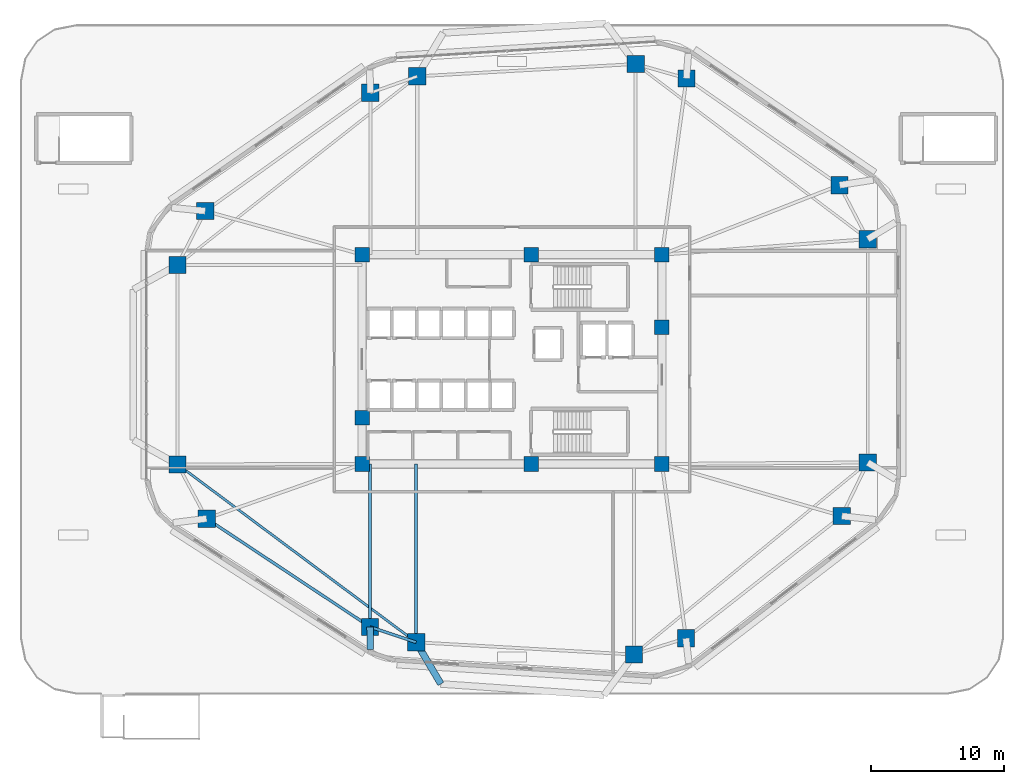
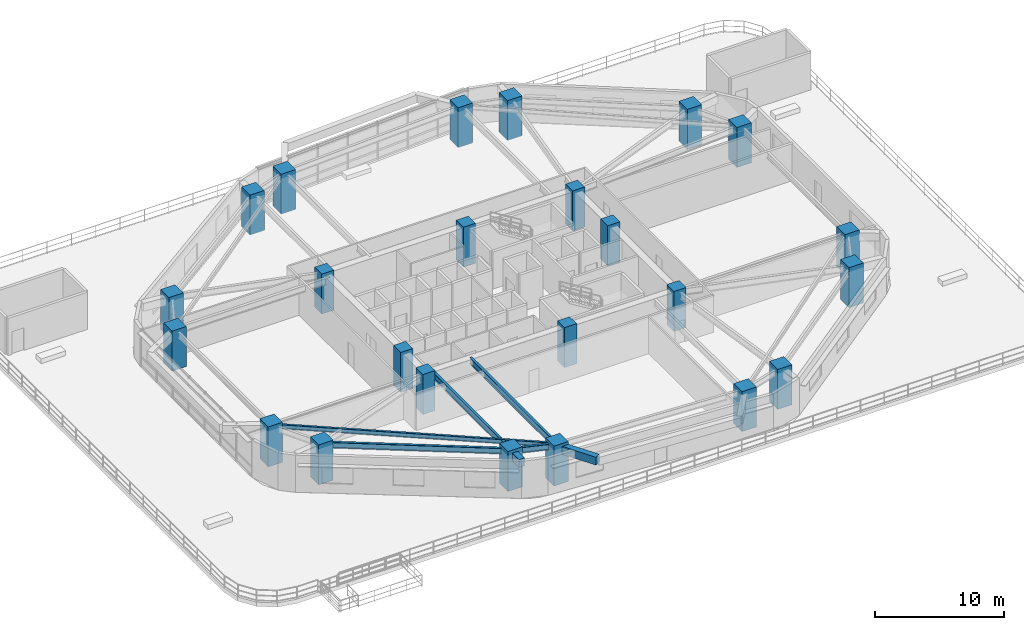
# One storey, part 1 of 20: 24 columns, 7 beams.
"""IFC4 building model written with IfcOpenShell, lengths in metres."""

from ifc_helpers import new_model, si_unit, direction, frame, origin, origin_2d, place, context, subcontext, project, spatial, rectangle, i_section, extrude, material, material_profile, profile_set, type_object, element, save


model = new_model("IFC4")

# Units and contexts
model_context = context("Model", 3, precision=1e-05, world=origin(), true_north=direction((0.0, 1.0)))
body_context = subcontext(model_context, "Body", "Model", "MODEL_VIEW")
ifc_project = project(units=[si_unit("LENGTHUNIT", "METRE"), si_unit("AREAUNIT", "SQUARE_METRE"), si_unit("VOLUMEUNIT", "CUBIC_METRE"), si_unit("PLANEANGLEUNIT", "RADIAN"), si_unit("MASSUNIT", "GRAM", prefix="KILO")], contexts=[model_context])

# Site, building, storey
site_placement = place(None, origin())
site = spatial("IfcSite", under=ifc_project, at=site_placement, CompositionType="ELEMENT")
building_placement = place(site_placement, origin())
building = spatial("IfcBuilding", under=site, at=building_placement, Name="Zulverin Broadcast Headquarters", CompositionType="ELEMENT")
storey_placement = place(building_placement, frame((0.0, 0.0, 25.0)))
storey = spatial("IfcBuildingStorey", under=building, at=storey_placement, Name="L05", CompositionType="ELEMENT", Elevation=25.0)

# Columns
ifc_material_1 = material(Name="Concrete C60/75", Category="concrete")
ifc_material_profile_1 = material_profile(ifc_material_1, rectangle(XDim=1.300048828125, YDim=1.300048828125, at=origin_2d()), Name="Concrete C60/75", Category="concrete")
ifc_profile_set_1 = profile_set([ifc_material_profile_1], Name="Concrete C60/75")
column_type_1 = type_object("IfcColumnType", Name="COL-RC-1300", PredefinedType="COLUMN", material=ifc_profile_set_1)
for number, where, z_axis, x_axis, name in (
    (1, (29.79638671875, 3.922119140625, 0.0), (0.0, 0.0, 1.0), (1.0, 0.0, 0.0), "L05 Perimeter Column T01"),
    (2, (46.175048828125, 2.997802734375, 0.0), (0.0, 0.0, 1.0), (1.0, 0.0, 0.0), "L05 Perimeter Column T02"),
    (3, (50.08056640625, 4.22509765625, 0.0), (0.0, 0.0, 1.0), (1.0, 0.0, 0.0), "L05 Perimeter Column T03"),
    (4, (61.79296875, 13.416259765625, 0.0), (0.0, 0.0, 1.0), (1.0, 0.0, 0.0), "L05 Perimeter Column T04"),
    (5, (63.75, 17.439697265625, 0.0), (0.0, 0.0, 1.0), (1.0, 0.0, 0.0), "L05 Perimeter Column T05"),
    (6, (63.75, 34.235107421875, 0.0), (0.0, 0.0, 1.0), (1.0, 0.0, 0.0), "L05 Perimeter Column T06"),
    (7, (61.630126953125, 38.298583984375, 0.0), (0.0, 0.0, 1.0), (1.0, 0.0, 0.0), "L05 Perimeter Column T07"),
    (8, (50.121826171875, 46.325927734375, 0.0), (0.0, 0.0, 1.0), (1.0, 0.0, 0.0), "L05 Perimeter Column T08"),
    (9, (46.30224609375, 47.4091796875, 0.0), (0.0, 0.0, 1.0), (1.0, 0.0, 0.0), "L05 Perimeter Column T09"),
    (10, (29.873779296875, 46.482177734375, 0.0), (0.0, 0.0, 1.0), (1.0, 0.0, 0.0), "L05 Perimeter Column T10"),
    (11, (26.344482421875, 45.23828125, 0.0), (0.0, 0.0, 1.0), (1.0, 0.0, 0.0), "L05 Perimeter Column T11"),
    (12, (13.934326171875, 36.353759765625, 0.0), (0.0, 0.0, 1.0), (1.0, 0.0, 0.0), "L05 Perimeter Column T12"),
    (13, (11.85009765625, 32.298095703125, 0.0), (0.0, 0.0, 1.0), (1.0, 0.0, 0.0), "L05 Perimeter Column T13"),
    (14, (11.85009765625, 17.297607421875, 0.0), (0.0, 0.0, 1.0), (1.0, 0.0, 0.0), "L05 Perimeter Column T14"),
    (15, (14.0390625, 13.219970703125, 0.0), (0.0, 0.0, 1.0), (1.0, 0.0, 0.0), "L05 Perimeter Column T15"),
    (16, (26.3251953125, 5.075927734375, 0.0), (0.0, 0.0, 1.0), (1.0, 0.0, 0.0), "L05 Perimeter Column T16"),
):
    element("IfcColumn", number, at=place(storey_placement, frame(where, z_axis=z_axis, x_axis=x_axis)), inside=storey, type_object=column_type_1, Name=name, PredefinedType="COLUMN", context=body_context, shape_type="SweptSolid", body=[
        extrude(rectangle(XDim=1.300048828125, YDim=1.300048828125, at=origin_2d()), origin(), (0.0, 0.0, 1.0), 3.800048828125),
    ])
ifc_material_profile_2 = material_profile(ifc_material_1, rectangle(XDim=1.10009765625, YDim=1.10009765625, at=origin_2d()), Name="Concrete C60/75", Category="concrete")
ifc_profile_set_2 = profile_set([ifc_material_profile_2], Name="Concrete C60/75")
column_type_2 = type_object("IfcColumnType", Name="PIL-RC-1100", PredefinedType="PILASTER", material=ifc_profile_set_2)
for number, where, z_axis, x_axis, name in (
    (17, (25.72509765625, 17.324951171875, 0.0), (0.0, 0.0, 1.0), (1.0, 0.0, 0.0), "L05 Core Pilaster K01"),
    (18, (38.449951171875, 17.324951171875, 0.0), (0.0, 0.0, 1.0), (1.0, 0.0, 0.0), "L05 Core Pilaster K02"),
    (19, (48.27490234375, 17.324951171875, 0.0), (0.0, 0.0, 1.0), (1.0, 0.0, 0.0), "L05 Core Pilaster K03"),
    (20, (48.27490234375, 27.6201171875, 0.0), (0.0, 0.0, 1.0), (1.0, 0.0, 0.0), "L05 Core Pilaster K04"),
    (21, (48.27490234375, 33.074951171875, 0.0), (0.0, 0.0, 1.0), (1.0, 0.0, 0.0), "L05 Core Pilaster K05"),
    (22, (38.449951171875, 33.074951171875, 0.0), (0.0, 0.0, 1.0), (1.0, 0.0, 0.0), "L05 Core Pilaster K06"),
    (23, (25.72509765625, 33.074951171875, 0.0), (0.0, 0.0, 1.0), (1.0, 0.0, 0.0), "L05 Core Pilaster K07"),
    (24, (25.72509765625, 20.800048828125, 0.0), (0.0, 0.0, 1.0), (1.0, 0.0, 0.0), "L05 Core Pilaster K08"),
):
    element("IfcColumn", number, at=place(storey_placement, frame(where, z_axis=z_axis, x_axis=x_axis)), inside=storey, type_object=column_type_2, Name=name, PredefinedType="PILASTER", context=body_context, shape_type="SweptSolid", body=[
        extrude(rectangle(XDim=1.10009765625, YDim=1.10009765625, at=origin_2d()), origin(), (0.0, 0.0, 1.0), 3.800048828125),
    ])

# Beams
ifc_material_2 = material(Name="Concrete C40/50", Category="concrete")
ifc_material_profile_3 = material_profile(ifc_material_2, rectangle(XDim=0.5, YDim=0.75, at=origin_2d()), Name="Concrete C40/50", Category="concrete")
ifc_profile_set_3 = profile_set([ifc_material_profile_3], Name="Concrete C40/50")
beam_type_1 = type_object("IfcBeamType", Name="BM-RC-500x750", PredefinedType="BEAM", material=ifc_profile_set_3)
beam_1_placement = place(storey_placement, frame((26.3251953125, 5.075927734375, 3.14990234375), z_axis=(0.006204786761, -0.999980750125, 0.0), x_axis=(0.999980750125, 0.006204786761, 0.0)))
element("IfcBeam", 25, at=beam_1_placement, inside=storey, type_object=beam_type_1, Name="L06 Plate Overhang Back-Spanned Beam OVR-16", PredefinedType="BEAM", context=body_context, shape_type="SweptSolid", body=[
    extrude(rectangle(XDim=0.5, YDim=0.75, at=origin_2d()), origin(), (0.0, 0.0, 1.0), 1.69189453125),
])
beam_2_placement = place(storey_placement, frame((29.79638671875, 3.922119140625, 3.14990234375), z_axis=(0.50927124685, -0.860606063848, 0.0), x_axis=(0.860606063848, 0.50927124685, 0.0)))
element("IfcBeam", 26, at=beam_2_placement, inside=storey, type_object=beam_type_1, Name="L06 Balcony Column-Framed Cantilever BAL_S-1", PredefinedType="BEAM", context=body_context, shape_type="SweptSolid", body=[
    extrude(rectangle(XDim=0.5, YDim=0.75, at=origin_2d()), origin(), (0.0, 0.0, 1.0), 3.641845703125),
])
ifc_material_3 = material(Name="Structural steel S355JR", Category="steel")
ifc_material_profile_4 = material_profile(ifc_material_3, i_section(OverallWidth=0.179443359375, OverallDepth=0.412841796875, WebThickness=0.009521484375, FlangeThickness=0.01611328125, at=origin_2d()), Name="Structural steel S355JR", Category="steel")
ifc_profile_set_4 = profile_set([ifc_material_profile_4], Name="Structural steel S355JR")
beam_type_2 = type_object("IfcBeamType", Name="BM-UB-406", PredefinedType="JOIST", material=ifc_profile_set_4)
beam_3_placement = place(storey_placement, frame((11.85009765625, 17.297607421875, 3.318603515625), z_axis=(0.801802688634, -0.59758886243, 0.0), x_axis=(0.59758886243, 0.801802688634, 0.0)))
element("IfcBeam", 27, at=beam_3_placement, inside=storey, type_object=beam_type_2, Name="L05 Chordal Floor Joist J-04", PredefinedType="JOIST", context=body_context, shape_type="SweptSolid", body=[
    extrude(i_section(OverallWidth=0.179443359375, OverallDepth=0.412841796875, WebThickness=0.009521484375, FlangeThickness=0.01611328125, at=origin_2d()), origin(), (0.0, 0.0, 1.0), 22.38232421875),
])
ifc_material_profile_5 = material_profile(ifc_material_3, i_section(OverallWidth=0.2119140625, OverallDepth=0.54443359375, WebThickness=0.0126953125, FlangeThickness=0.021240234375, at=origin_2d()), Name="Structural steel S355JR", Category="steel")
ifc_profile_set_5 = profile_set([ifc_material_profile_5], Name="Structural steel S355JR")
beam_type_3 = type_object("IfcBeamType", Name="BM-UB-533", PredefinedType="SPANDREL", material=ifc_profile_set_5)
beam_4_placement = place(storey_placement, frame((14.0390625, 13.219970703125, 3.252685546875), z_axis=(0.833510030956, -0.552504324232, 0.0), x_axis=(0.552504324232, 0.833510030956, 0.0)))
element("IfcBeam", 28, at=beam_4_placement, inside=storey, type_object=beam_type_3, Name="L05 Perimeter Spandrel Beam SP-15", PredefinedType="SPANDREL", context=body_context, shape_type="SweptSolid", body=[
    extrude(i_section(OverallWidth=0.2119140625, OverallDepth=0.54443359375, WebThickness=0.0126953125, FlangeThickness=0.021240234375, at=origin_2d()), origin(), (0.0, 0.0, 1.0), 14.740234375),
])
beam_5_placement = place(storey_placement, frame((26.3251953125, 5.075927734375, 3.252685546875), z_axis=(0.948949931395, -0.315426739047, 0.0), x_axis=(0.315426739047, 0.948949931395, 0.0)))
element("IfcBeam", 29, at=beam_5_placement, inside=storey, type_object=beam_type_3, Name="L05 Perimeter Spandrel Beam SP-16", PredefinedType="SPANDREL", context=body_context, shape_type="SweptSolid", body=[
    extrude(i_section(OverallWidth=0.2119140625, OverallDepth=0.54443359375, WebThickness=0.0126953125, FlangeThickness=0.021240234375, at=origin_2d()), origin(), (0.0, 0.0, 1.0), 3.657958984375),
])
ifc_material_profile_6 = material_profile(ifc_material_3, i_section(OverallWidth=0.230224609375, OverallDepth=0.6171875, WebThickness=0.01318359375, FlangeThickness=0.022216796875, at=origin_2d()), Name="Structural steel S355JR", Category="steel")
ifc_profile_set_6 = profile_set([ifc_material_profile_6], Name="Structural steel S355JR")
beam_type_4 = type_object("IfcBeamType", Name="BM-UB-610", PredefinedType="BEAM", material=ifc_profile_set_6)
beam_6_placement = place(storey_placement, frame((29.79638671875, 17.324951171875, 3.21630859375), z_axis=(0.0, -1.0, 0.0), x_axis=(1.0, 0.0, 0.0)))
element("IfcBeam", 30, at=beam_6_placement, inside=storey, type_object=beam_type_4, Name="L05 Radial Primary Floor Beam RB-01", PredefinedType="BEAM", context=body_context, shape_type="SweptSolid", body=[
    extrude(i_section(OverallWidth=0.230224609375, OverallDepth=0.6171875, WebThickness=0.01318359375, FlangeThickness=0.022216796875, at=origin_2d()), origin(), (0.0, 0.0, 1.0), 13.40283203125),
])
beam_7_placement = place(storey_placement, frame((26.3251953125, 17.324951171875, 3.21630859375), z_axis=(0.0, -1.0, 0.0), x_axis=(1.0, 0.0, 0.0)))
element("IfcBeam", 31, at=beam_7_placement, inside=storey, type_object=beam_type_4, Name="L05 Radial Primary Floor Beam RB-16", PredefinedType="BEAM", context=body_context, shape_type="SweptSolid", body=[
    extrude(i_section(OverallWidth=0.230224609375, OverallDepth=0.6171875, WebThickness=0.01318359375, FlangeThickness=0.022216796875, at=origin_2d()), origin(), (0.0, 0.0, 1.0), 12.2490234375),
])

save(model, "model.ifc")
